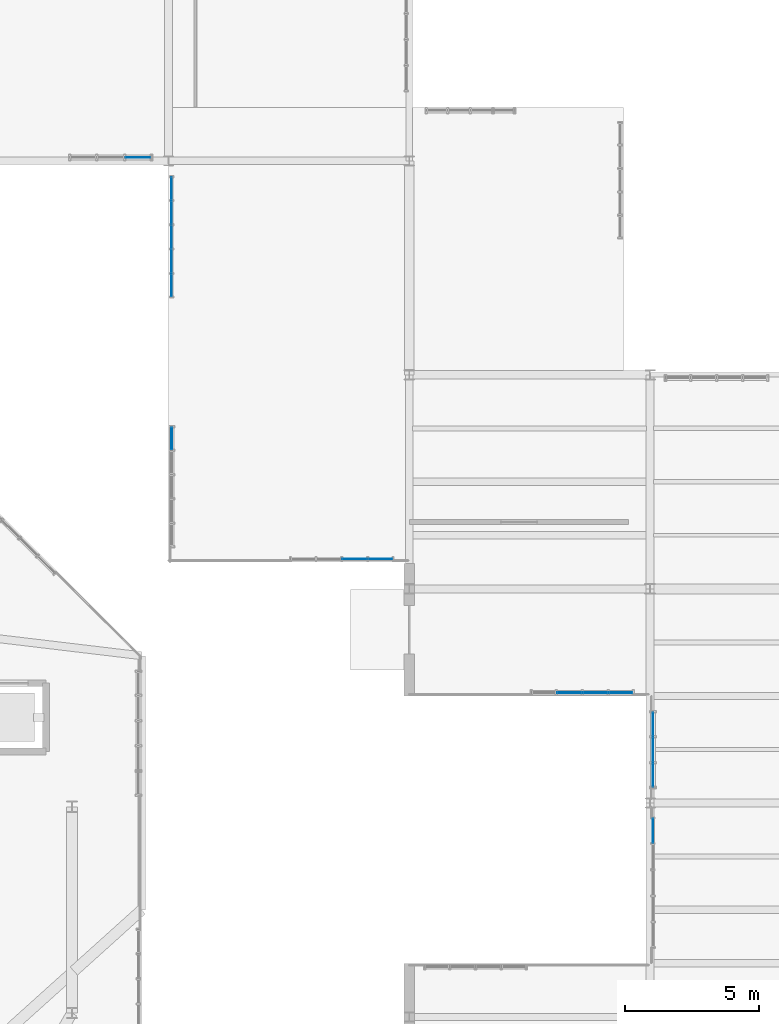
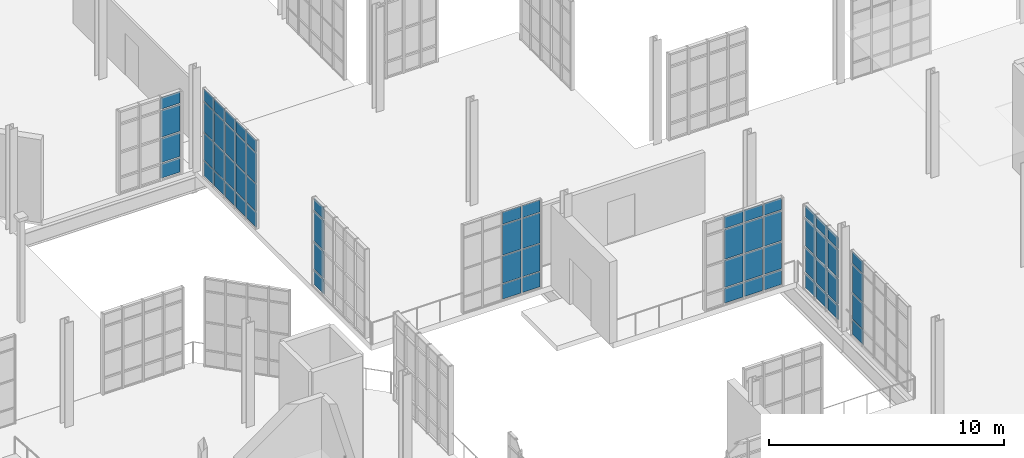
# One storey, part 155 of 189: 64 plates, 7 elements without a shape of their own.
"""IFC4 building model written with IfcOpenShell, lengths in metres."""

from ifc_helpers import new_model, si_unit, direction, frame, origin, origin_2d, place, context, subcontext, project, spatial, rectangle, extrude, material, layer, layer_set, type_object, element, aggregate, save


model = new_model("IFC4")

# Units and contexts
model_context = context("Model", 3, precision=1e-05, world=origin(), true_north=direction((0.0, 1.0)))
body_context = subcontext(model_context, "Body", "Model", "MODEL_VIEW")
ifc_project = project(units=[si_unit("LENGTHUNIT", "METRE"), si_unit("AREAUNIT", "SQUARE_METRE"), si_unit("VOLUMEUNIT", "CUBIC_METRE"), si_unit("PLANEANGLEUNIT", "RADIAN"), si_unit("MASSUNIT", "GRAM", prefix="KILO"), si_unit("THERMODYNAMICTEMPERATUREUNIT", "KELVIN"), si_unit("POWERUNIT", "WATT")], contexts=[model_context])

# Site, building, storey
site_placement = place(None, origin())
site = spatial("IfcSite", under=ifc_project, at=site_placement, CompositionType="ELEMENT")
building_placement = place(site_placement, origin())
building = spatial("IfcBuilding", under=site, at=building_placement, Name="Zelmaris Science Centre", CompositionType="ELEMENT")
storey_placement = place(building_placement, origin())
storey = spatial("IfcBuildingStorey", under=building, at=storey_placement, Name="L00", CompositionType="ELEMENT", Elevation=0.0)

# Curtain wall, plates
ifc_material_1 = material(Name="Anodised architectural aluminium 6063-T6", Category="aluminium")
ifc_layer_1 = layer(ifc_material_1, 0.18994140625, Name="Anodised architectural aluminium 6063-T6")
ifc_layer_set_1 = layer_set([ifc_layer_1], Name="Anodised architectural aluminium 6063-T6")
curtain_wall_type_1 = type_object("IfcCurtainWallType", Name="Curtain Wall CW-01", PredefinedType="USERDEFINED", material=ifc_layer_set_1)
curtain_wall_1_placement = place(storey_placement, origin())
curtain_wall_1 = element("IfcCurtainWall", 1, at=curtain_wall_1_placement, inside=storey, type_object=curtain_wall_type_1, Name="L00 Unitised curtain wall 69", ObjectType="GLAZED CURTAIN WALL", PredefinedType="USERDEFINED")
ifc_material_2 = material(Name="Laminated hurricane-rated low-E insulated glazing", Category="glass")
ifc_layer_2 = layer(ifc_material_2, 0.031982421875, Name="Laminated hurricane-rated low-E insulated glazing")
ifc_layer_set_2 = layer_set([ifc_layer_2], Name="Laminated hurricane-rated low-E insulated glazing")
plate_type_1 = type_object("IfcPlateType", Name="Curtain Glazing Panel CWP-1 32mm", PredefinedType="CURTAIN_PANEL", material=ifc_layer_set_2)
plate_1_placement = place(storey_placement, frame((117.107421875, 41.041015625, 0.05712890625), z_axis=(0.0, 0.0, 1.0), x_axis=(-0.000345053628, 0.999999940469, 0.0)))
plate_1 = element("IfcPlate", 2, at=plate_1_placement, type_object=plate_type_1, Name="CW-01 panel 1.1", PredefinedType="CURTAIN_PANEL", context=body_context, shape_type="SweptSolid", body=[
    extrude(rectangle(XDim=0.858154296875, YDim=0.031982421875, at=origin_2d()), origin(), (0.0, 0.0, 1.0), 0.741943359375),
])
plate_2_placement = place(storey_placement, frame((117.107421875, 41.041015625, 0.870849609375), z_axis=(0.0, 0.0, 1.0), x_axis=(-0.000345053628, 0.999999940469, 0.0)))
plate_2 = element("IfcPlate", 3, at=plate_2_placement, type_object=plate_type_1, Name="CW-01 panel 1.2", PredefinedType="CURTAIN_PANEL", context=body_context, shape_type="SweptSolid", body=[
    extrude(rectangle(XDim=0.858154296875, YDim=0.031982421875, at=origin_2d()), origin(), (0.0, 0.0, 1.0), 1.2890625),
])
plate_3_placement = place(storey_placement, frame((117.107421875, 41.041015625, 2.23193359375), z_axis=(0.0, 0.0, 1.0), x_axis=(-0.000345053628, 0.999999940469, 0.0)))
plate_3 = element("IfcPlate", 4, at=plate_3_placement, type_object=plate_type_1, Name="CW-01 panel 1.3", PredefinedType="CURTAIN_PANEL", context=body_context, shape_type="SweptSolid", body=[
    extrude(rectangle(XDim=0.858154296875, YDim=0.031982421875, at=origin_2d()), origin(), (0.0, 0.0, 1.0), 1.43896484375),
])
plate_4_placement = place(storey_placement, frame((117.107421875, 41.041015625, 3.7431640625), z_axis=(0.0, 0.0, 1.0), x_axis=(-0.000345053628, 0.999999940469, 0.0)))
plate_4 = element("IfcPlate", 5, at=plate_4_placement, type_object=plate_type_1, Name="CW-01 panel 1.4", PredefinedType="CURTAIN_PANEL", context=body_context, shape_type="SweptSolid", body=[
    extrude(rectangle(XDim=0.858154296875, YDim=0.031982421875, at=origin_2d()), origin(), (0.0, 0.0, 1.0), 0.592041015625),
])
plate_5_placement = place(storey_placement, frame((117.107177734375, 41.989013671875, 0.05712890625), z_axis=(0.0, 0.0, 1.0), x_axis=(-0.000345053628, 0.999999940469, 0.0)))
plate_5 = element("IfcPlate", 6, at=plate_5_placement, type_object=plate_type_1, Name="CW-01 panel 2.1", PredefinedType="CURTAIN_PANEL", context=body_context, shape_type="SweptSolid", body=[
    extrude(rectangle(XDim=0.89404296875, YDim=0.031982421875, at=origin_2d()), origin(), (0.0, 0.0, 1.0), 0.741943359375),
])
plate_6_placement = place(storey_placement, frame((117.107177734375, 41.989013671875, 0.870849609375), z_axis=(0.0, 0.0, 1.0), x_axis=(-0.000345053628, 0.999999940469, 0.0)))
plate_6 = element("IfcPlate", 7, at=plate_6_placement, type_object=plate_type_1, Name="CW-01 panel 2.2", PredefinedType="CURTAIN_PANEL", context=body_context, shape_type="SweptSolid", body=[
    extrude(rectangle(XDim=0.89404296875, YDim=0.031982421875, at=origin_2d()), origin(), (0.0, 0.0, 1.0), 1.2890625),
])
plate_7_placement = place(storey_placement, frame((117.107177734375, 41.989013671875, 2.23193359375), z_axis=(0.0, 0.0, 1.0), x_axis=(-0.000345053628, 0.999999940469, 0.0)))
plate_7 = element("IfcPlate", 8, at=plate_7_placement, type_object=plate_type_1, Name="CW-01 panel 2.3", PredefinedType="CURTAIN_PANEL", context=body_context, shape_type="SweptSolid", body=[
    extrude(rectangle(XDim=0.89404296875, YDim=0.031982421875, at=origin_2d()), origin(), (0.0, 0.0, 1.0), 1.43896484375),
])
plate_8_placement = place(storey_placement, frame((117.107177734375, 41.989013671875, 3.7431640625), z_axis=(0.0, 0.0, 1.0), x_axis=(-0.000345053628, 0.999999940469, 0.0)))
plate_8 = element("IfcPlate", 9, at=plate_8_placement, type_object=plate_type_1, Name="CW-01 panel 2.4", PredefinedType="CURTAIN_PANEL", context=body_context, shape_type="SweptSolid", body=[
    extrude(rectangle(XDim=0.89404296875, YDim=0.031982421875, at=origin_2d()), origin(), (0.0, 0.0, 1.0), 0.592041015625),
])
plate_9_placement = place(storey_placement, frame((117.106689453125, 42.93701171875, 0.05712890625), z_axis=(0.0, 0.0, 1.0), x_axis=(-0.000345053628, 0.999999940469, 0.0)))
plate_9 = element("IfcPlate", 10, at=plate_9_placement, type_object=plate_type_1, Name="CW-01 panel 3.1", PredefinedType="CURTAIN_PANEL", context=body_context, shape_type="SweptSolid", body=[
    extrude(rectangle(XDim=0.858154296875, YDim=0.031982421875, at=origin_2d()), origin(), (0.0, 0.0, 1.0), 0.741943359375),
])
plate_10_placement = place(storey_placement, frame((117.106689453125, 42.93701171875, 0.870849609375), z_axis=(0.0, 0.0, 1.0), x_axis=(-0.000345053628, 0.999999940469, 0.0)))
plate_10 = element("IfcPlate", 11, at=plate_10_placement, type_object=plate_type_1, Name="CW-01 panel 3.2", PredefinedType="CURTAIN_PANEL", context=body_context, shape_type="SweptSolid", body=[
    extrude(rectangle(XDim=0.858154296875, YDim=0.031982421875, at=origin_2d()), origin(), (0.0, 0.0, 1.0), 1.2890625),
])
plate_11_placement = place(storey_placement, frame((117.106689453125, 42.93701171875, 2.23193359375), z_axis=(0.0, 0.0, 1.0), x_axis=(-0.000345053628, 0.999999940469, 0.0)))
plate_11 = element("IfcPlate", 12, at=plate_11_placement, type_object=plate_type_1, Name="CW-01 panel 3.3", PredefinedType="CURTAIN_PANEL", context=body_context, shape_type="SweptSolid", body=[
    extrude(rectangle(XDim=0.858154296875, YDim=0.031982421875, at=origin_2d()), origin(), (0.0, 0.0, 1.0), 1.43896484375),
])
plate_12_placement = place(storey_placement, frame((117.106689453125, 42.93701171875, 3.7431640625), z_axis=(0.0, 0.0, 1.0), x_axis=(-0.000345053628, 0.999999940469, 0.0)))
plate_12 = element("IfcPlate", 13, at=plate_12_placement, type_object=plate_type_1, Name="CW-01 panel 3.4", PredefinedType="CURTAIN_PANEL", context=body_context, shape_type="SweptSolid", body=[
    extrude(rectangle(XDim=0.858154296875, YDim=0.031982421875, at=origin_2d()), origin(), (0.0, 0.0, 1.0), 0.592041015625),
])
aggregate(curtain_wall_1, [plate_1, plate_2, plate_3, plate_4, plate_5, plate_6, plate_7, plate_8, plate_9, plate_10, plate_11, plate_12])

curtain_wall_2_placement = place(storey_placement, origin())
curtain_wall_2 = element("IfcCurtainWall", 14, at=curtain_wall_2_placement, inside=storey, type_object=curtain_wall_type_1, Name="L00 Unitised curtain wall 77", ObjectType="GLAZED CURTAIN WALL", PredefinedType="USERDEFINED")
plate_13_placement = place(storey_placement, frame((97.862060546875, 64.1201171875, 0.05712890625), z_axis=(0.0, 0.0, 1.0), x_axis=(-1.0, 0.0, 0.0)))
plate_13 = element("IfcPlate", 15, at=plate_13_placement, type_object=plate_type_1, Name="CW-01 panel 1.1", PredefinedType="CURTAIN_PANEL", context=body_context, shape_type="SweptSolid", body=[
    extrude(rectangle(XDim=0.931884765625, YDim=0.031982421875, at=origin_2d()), origin(), (0.0, 0.0, 1.0), 0.741943359375),
])
plate_14_placement = place(storey_placement, frame((97.862060546875, 64.1201171875, 0.87109375), z_axis=(0.0, 0.0, 1.0), x_axis=(-1.0, 0.0, 0.0)))
plate_14 = element("IfcPlate", 16, at=plate_14_placement, type_object=plate_type_1, Name="CW-01 panel 1.2", PredefinedType="CURTAIN_PANEL", context=body_context, shape_type="SweptSolid", body=[
    extrude(rectangle(XDim=0.931884765625, YDim=0.031982421875, at=origin_2d()), origin(), (0.0, 0.0, 1.0), 1.239501953125),
])
plate_15_placement = place(storey_placement, frame((97.862060546875, 64.1201171875, 2.1826171875), z_axis=(0.0, 0.0, 1.0), x_axis=(-1.0, 0.0, 0.0)))
plate_15 = element("IfcPlate", 17, at=plate_15_placement, type_object=plate_type_1, Name="CW-01 panel 1.3", PredefinedType="CURTAIN_PANEL", context=body_context, shape_type="SweptSolid", body=[
    extrude(rectangle(XDim=0.931884765625, YDim=0.031982421875, at=origin_2d()), origin(), (0.0, 0.0, 1.0), 1.389404296875),
])
plate_16_placement = place(storey_placement, frame((97.862060546875, 64.1201171875, 3.64404296875), z_axis=(0.0, 0.0, 1.0), x_axis=(-1.0, 0.0, 0.0)))
plate_16 = element("IfcPlate", 18, at=plate_16_placement, type_object=plate_type_1, Name="CW-01 panel 1.4", PredefinedType="CURTAIN_PANEL", context=body_context, shape_type="SweptSolid", body=[
    extrude(rectangle(XDim=0.931884765625, YDim=0.031982421875, at=origin_2d()), origin(), (0.0, 0.0, 1.0), 0.592041015625),
])
aggregate(curtain_wall_2, [plate_13, plate_14, plate_15, plate_16])

ifc_layer_3 = layer(ifc_material_1, 0.199951171875, Name="Anodised architectural aluminium 6063-T6")
ifc_layer_set_3 = layer_set([ifc_layer_3], Name="Anodised architectural aluminium 6063-T6")
curtain_wall_type_2 = type_object("IfcCurtainWallType", Name="Curtain Wall CW-02", PredefinedType="USERDEFINED", material=ifc_layer_set_3)
curtain_wall_3_placement = place(storey_placement, origin())
curtain_wall_3 = element("IfcCurtainWall", 19, at=curtain_wall_3_placement, inside=storey, type_object=curtain_wall_type_2, Name="L00 Unitised curtain wall 70", ObjectType="GLAZED CURTAIN WALL", PredefinedType="USERDEFINED")
ifc_layer_4 = layer(ifc_material_2, 0.028076171875, Name="Laminated hurricane-rated low-E insulated glazing")
ifc_layer_set_4 = layer_set([ifc_layer_4], Name="Laminated hurricane-rated low-E insulated glazing")
plate_type_2 = type_object("IfcPlateType", Name="Curtain Glazing Panel CWP-2 28mm", PredefinedType="CURTAIN_PANEL", material=ifc_layer_set_4)
plate_17_placement = place(storey_placement, frame((115.8994140625, 44.1201171875, 0.052001953125), z_axis=(0.0, 0.0, 1.0), x_axis=(-1.0, 0.0, 0.0)))
plate_17 = element("IfcPlate", 20, at=plate_17_placement, type_object=plate_type_2, Name="CW-02 panel 1.1", PredefinedType="CURTAIN_PANEL", context=body_context, shape_type="SweptSolid", body=[
    extrude(rectangle(XDim=0.866943359375, YDim=0.028076171875, at=origin_2d()), origin(), (0.0, 0.0, 1.0), 0.74951171875),
])
plate_18_placement = place(storey_placement, frame((115.8994140625, 44.1201171875, 0.86865234375), z_axis=(0.0, 0.0, 1.0), x_axis=(-1.0, 0.0, 0.0)))
plate_18 = element("IfcPlate", 21, at=plate_18_placement, type_object=plate_type_2, Name="CW-02 panel 1.2", PredefinedType="CURTAIN_PANEL", context=body_context, shape_type="SweptSolid", body=[
    extrude(rectangle(XDim=0.866943359375, YDim=0.028076171875, at=origin_2d()), origin(), (0.0, 0.0, 1.0), 1.390380859375),
])
plate_19_placement = place(storey_placement, frame((115.8994140625, 44.1201171875, 2.325927734375), z_axis=(0.0, 0.0, 1.0), x_axis=(-1.0, 0.0, 0.0)))
plate_19 = element("IfcPlate", 22, at=plate_19_placement, type_object=plate_type_2, Name="CW-02 panel 1.3", PredefinedType="CURTAIN_PANEL", context=body_context, shape_type="SweptSolid", body=[
    extrude(rectangle(XDim=0.866943359375, YDim=0.028076171875, at=origin_2d()), origin(), (0.0, 0.0, 1.0), 1.54052734375),
])
plate_20_placement = place(storey_placement, frame((115.8994140625, 44.1201171875, 3.933349609375), z_axis=(0.0, 0.0, 1.0), x_axis=(-1.0, 0.0, 0.0)))
plate_20 = element("IfcPlate", 23, at=plate_20_placement, type_object=plate_type_2, Name="CW-02 panel 1.4", PredefinedType="CURTAIN_PANEL", context=body_context, shape_type="SweptSolid", body=[
    extrude(rectangle(XDim=0.866943359375, YDim=0.028076171875, at=origin_2d()), origin(), (0.0, 0.0, 1.0), 0.599609375),
])
plate_21_placement = place(storey_placement, frame((114.94873046875, 44.1201171875, 0.052001953125), z_axis=(0.0, 0.0, 1.0), x_axis=(-1.0, 0.0, 0.0)))
plate_21 = element("IfcPlate", 24, at=plate_21_placement, type_object=plate_type_2, Name="CW-02 panel 2.1", PredefinedType="CURTAIN_PANEL", context=body_context, shape_type="SweptSolid", body=[
    extrude(rectangle(XDim=0.900390625, YDim=0.028076171875, at=origin_2d()), origin(), (0.0, 0.0, 1.0), 0.74951171875),
])
plate_22_placement = place(storey_placement, frame((114.94873046875, 44.1201171875, 0.86865234375), z_axis=(0.0, 0.0, 1.0), x_axis=(-1.0, 0.0, 0.0)))
plate_22 = element("IfcPlate", 25, at=plate_22_placement, type_object=plate_type_2, Name="CW-02 panel 2.2", PredefinedType="CURTAIN_PANEL", context=body_context, shape_type="SweptSolid", body=[
    extrude(rectangle(XDim=0.900390625, YDim=0.028076171875, at=origin_2d()), origin(), (0.0, 0.0, 1.0), 1.390380859375),
])
plate_23_placement = place(storey_placement, frame((114.94873046875, 44.1201171875, 2.325927734375), z_axis=(0.0, 0.0, 1.0), x_axis=(-1.0, 0.0, 0.0)))
plate_23 = element("IfcPlate", 26, at=plate_23_placement, type_object=plate_type_2, Name="CW-02 panel 2.3", PredefinedType="CURTAIN_PANEL", context=body_context, shape_type="SweptSolid", body=[
    extrude(rectangle(XDim=0.900390625, YDim=0.028076171875, at=origin_2d()), origin(), (0.0, 0.0, 1.0), 1.54052734375),
])
plate_24_placement = place(storey_placement, frame((114.94873046875, 44.1201171875, 3.933349609375), z_axis=(0.0, 0.0, 1.0), x_axis=(-1.0, 0.0, 0.0)))
plate_24 = element("IfcPlate", 27, at=plate_24_placement, type_object=plate_type_2, Name="CW-02 panel 2.4", PredefinedType="CURTAIN_PANEL", context=body_context, shape_type="SweptSolid", body=[
    extrude(rectangle(XDim=0.900390625, YDim=0.028076171875, at=origin_2d()), origin(), (0.0, 0.0, 1.0), 0.599609375),
])
plate_25_placement = place(storey_placement, frame((113.981201171875, 44.1201171875, 0.052001953125), z_axis=(0.0, 0.0, 1.0), x_axis=(-1.0, 0.0, 0.0)))
plate_25 = element("IfcPlate", 28, at=plate_25_placement, type_object=plate_type_2, Name="CW-02 panel 3.1", PredefinedType="CURTAIN_PANEL", context=body_context, shape_type="SweptSolid", body=[
    extrude(rectangle(XDim=0.900390625, YDim=0.028076171875, at=origin_2d()), origin(), (0.0, 0.0, 1.0), 0.74951171875),
])
plate_26_placement = place(storey_placement, frame((113.981201171875, 44.1201171875, 0.86865234375), z_axis=(0.0, 0.0, 1.0), x_axis=(-1.0, 0.0, 0.0)))
plate_26 = element("IfcPlate", 29, at=plate_26_placement, type_object=plate_type_2, Name="CW-02 panel 3.2", PredefinedType="CURTAIN_PANEL", context=body_context, shape_type="SweptSolid", body=[
    extrude(rectangle(XDim=0.900390625, YDim=0.028076171875, at=origin_2d()), origin(), (0.0, 0.0, 1.0), 1.390380859375),
])
plate_27_placement = place(storey_placement, frame((113.981201171875, 44.1201171875, 2.325927734375), z_axis=(0.0, 0.0, 1.0), x_axis=(-1.0, 0.0, 0.0)))
plate_27 = element("IfcPlate", 30, at=plate_27_placement, type_object=plate_type_2, Name="CW-02 panel 3.3", PredefinedType="CURTAIN_PANEL", context=body_context, shape_type="SweptSolid", body=[
    extrude(rectangle(XDim=0.900390625, YDim=0.028076171875, at=origin_2d()), origin(), (0.0, 0.0, 1.0), 1.54052734375),
])
plate_28_placement = place(storey_placement, frame((113.981201171875, 44.1201171875, 3.933349609375), z_axis=(0.0, 0.0, 1.0), x_axis=(-1.0, 0.0, 0.0)))
plate_28 = element("IfcPlate", 31, at=plate_28_placement, type_object=plate_type_2, Name="CW-02 panel 3.4", PredefinedType="CURTAIN_PANEL", context=body_context, shape_type="SweptSolid", body=[
    extrude(rectangle(XDim=0.900390625, YDim=0.028076171875, at=origin_2d()), origin(), (0.0, 0.0, 1.0), 0.599609375),
])
aggregate(curtain_wall_3, [plate_17, plate_18, plate_19, plate_20, plate_21, plate_22, plate_23, plate_24, plate_25, plate_26, plate_27, plate_28])

curtain_wall_4_placement = place(storey_placement, origin())
curtain_wall_4 = element("IfcCurtainWall", 32, at=curtain_wall_4_placement, inside=storey, type_object=curtain_wall_type_2, Name="L00 Unitised curtain wall 74", ObjectType="GLAZED CURTAIN WALL", PredefinedType="USERDEFINED")
plate_29_placement = place(storey_placement, frame((99.117919921875, 53.617919921875, 0.052001953125), z_axis=(0.0, 0.0, 1.0), x_axis=(-0.00048358019, 0.999999883075, 0.0)))
plate_29 = element("IfcPlate", 33, at=plate_29_placement, type_object=plate_type_2, Name="CW-02 panel 5.1", PredefinedType="CURTAIN_PANEL", context=body_context, shape_type="SweptSolid", body=[
    extrude(rectangle(XDim=0.809326171875, YDim=0.028076171875, at=origin_2d()), origin(), (0.0, 0.0, 1.0), 0.74951171875),
])
plate_30_placement = place(storey_placement, frame((99.117919921875, 53.617919921875, 0.86865234375), z_axis=(0.0, 0.0, 1.0), x_axis=(-0.00048358019, 0.999999883075, 0.0)))
plate_30 = element("IfcPlate", 34, at=plate_30_placement, type_object=plate_type_2, Name="CW-02 panel 5.2", PredefinedType="CURTAIN_PANEL", context=body_context, shape_type="SweptSolid", body=[
    extrude(rectangle(XDim=0.809326171875, YDim=0.028076171875, at=origin_2d()), origin(), (0.0, 0.0, 1.0), 1.390380859375),
])
plate_31_placement = place(storey_placement, frame((99.117919921875, 53.617919921875, 2.325927734375), z_axis=(0.0, 0.0, 1.0), x_axis=(-0.00048358019, 0.999999883075, 0.0)))
plate_31 = element("IfcPlate", 35, at=plate_31_placement, type_object=plate_type_2, Name="CW-02 panel 5.3", PredefinedType="CURTAIN_PANEL", context=body_context, shape_type="SweptSolid", body=[
    extrude(rectangle(XDim=0.809326171875, YDim=0.028076171875, at=origin_2d()), origin(), (0.0, 0.0, 1.0), 1.54052734375),
])
plate_32_placement = place(storey_placement, frame((99.117919921875, 53.617919921875, 3.933349609375), z_axis=(0.0, 0.0, 1.0), x_axis=(-0.00048358019, 0.999999883075, 0.0)))
plate_32 = element("IfcPlate", 36, at=plate_32_placement, type_object=plate_type_2, Name="CW-02 panel 5.4", PredefinedType="CURTAIN_PANEL", context=body_context, shape_type="SweptSolid", body=[
    extrude(rectangle(XDim=0.809326171875, YDim=0.028076171875, at=origin_2d()), origin(), (0.0, 0.0, 1.0), 0.599609375),
])
aggregate(curtain_wall_4, [plate_29, plate_30, plate_31, plate_32])

ifc_layer_5 = layer(ifc_material_1, 0.219970703125, Name="Anodised architectural aluminium 6063-T6")
ifc_layer_set_5 = layer_set([ifc_layer_5], Name="Anodised architectural aluminium 6063-T6")
curtain_wall_type_3 = type_object("IfcCurtainWallType", Name="Curtain Wall CW-04", PredefinedType="USERDEFINED", material=ifc_layer_set_5)
curtain_wall_5_placement = place(storey_placement, origin())
curtain_wall_5 = element("IfcCurtainWall", 37, at=curtain_wall_5_placement, inside=storey, type_object=curtain_wall_type_3, Name="L00 Unitised curtain wall 68", ObjectType="GLAZED CURTAIN WALL", PredefinedType="USERDEFINED")
ifc_layer_6 = layer(ifc_material_2, 0.02392578125, Name="Laminated hurricane-rated low-E insulated glazing")
ifc_layer_set_6 = layer_set([ifc_layer_6], Name="Laminated hurricane-rated low-E insulated glazing")
plate_type_3 = type_object("IfcPlateType", Name="Curtain Glazing Panel CWP-4 24mm", PredefinedType="CURTAIN_PANEL", material=ifc_layer_set_6)
plate_33_placement = place(storey_placement, frame((117.108154296875, 38.957763671875, 0.037109375), z_axis=(0.0, 0.0, 1.0), x_axis=(-0.000347413785, 0.999999939652, 0.0)))
plate_33 = element("IfcPlate", 38, at=plate_33_placement, type_object=plate_type_3, Name="CW-04 panel 5.1", PredefinedType="CURTAIN_PANEL", context=body_context, shape_type="SweptSolid", body=[
    extrude(rectangle(XDim=0.900634765625, YDim=0.02392578125, at=origin_2d()), origin(), (0.0, 0.0, 1.0), 0.77197265625),
])
plate_34_placement = place(storey_placement, frame((117.108154296875, 38.957763671875, 0.86083984375), z_axis=(0.0, 0.0, 1.0), x_axis=(-0.000347413785, 0.999999939652, 0.0)))
plate_34 = element("IfcPlate", 39, at=plate_34_placement, type_object=plate_type_3, Name="CW-04 panel 5.2", PredefinedType="CURTAIN_PANEL", context=body_context, shape_type="SweptSolid", body=[
    extrude(rectangle(XDim=0.900634765625, YDim=0.02392578125, at=origin_2d()), origin(), (0.0, 0.0, 1.0), 1.30908203125),
])
plate_35_placement = place(storey_placement, frame((117.108154296875, 38.957763671875, 2.221923828125), z_axis=(0.0, 0.0, 1.0), x_axis=(-0.000347413785, 0.999999939652, 0.0)))
plate_35 = element("IfcPlate", 40, at=plate_35_placement, type_object=plate_type_3, Name="CW-04 panel 5.3", PredefinedType="CURTAIN_PANEL", context=body_context, shape_type="SweptSolid", body=[
    extrude(rectangle(XDim=0.900634765625, YDim=0.02392578125, at=origin_2d()), origin(), (0.0, 0.0, 1.0), 1.458984375),
])
plate_36_placement = place(storey_placement, frame((117.108154296875, 38.957763671875, 3.73291015625), z_axis=(0.0, 0.0, 1.0), x_axis=(-0.000347413785, 0.999999939652, 0.0)))
plate_36 = element("IfcPlate", 41, at=plate_36_placement, type_object=plate_type_3, Name="CW-04 panel 5.4", PredefinedType="CURTAIN_PANEL", context=body_context, shape_type="SweptSolid", body=[
    extrude(rectangle(XDim=0.900634765625, YDim=0.02392578125, at=origin_2d()), origin(), (0.0, 0.0, 1.0), 0.6220703125),
])
aggregate(curtain_wall_5, [plate_33, plate_34, plate_35, plate_36])

curtain_wall_6_placement = place(storey_placement, origin())
curtain_wall_6 = element("IfcCurtainWall", 42, at=curtain_wall_6_placement, inside=storey, type_object=curtain_wall_type_3, Name="L00 Unitised curtain wall 72", ObjectType="GLAZED CURTAIN WALL", PredefinedType="USERDEFINED")
plate_37_placement = place(storey_placement, frame((106.919677734375, 49.11767578125, 0.037109375), z_axis=(0.0, 0.0, 1.0), x_axis=(-0.999999959785, 0.00028360017, 0.0)))
plate_37 = element("IfcPlate", 43, at=plate_37_placement, type_object=plate_type_3, Name="CW-04 panel 1.1", PredefinedType="CURTAIN_PANEL", context=body_context, shape_type="SweptSolid", body=[
    extrude(rectangle(XDim=0.8916015625, YDim=0.02392578125, at=origin_2d()), origin(), (0.0, 0.0, 1.0), 0.77197265625),
])
plate_38_placement = place(storey_placement, frame((106.919677734375, 49.11767578125, 0.86083984375), z_axis=(0.0, 0.0, 1.0), x_axis=(-0.999999959785, 0.00028360017, 0.0)))
plate_38 = element("IfcPlate", 44, at=plate_38_placement, type_object=plate_type_3, Name="CW-04 panel 1.2", PredefinedType="CURTAIN_PANEL", context=body_context, shape_type="SweptSolid", body=[
    extrude(rectangle(XDim=0.8916015625, YDim=0.02392578125, at=origin_2d()), origin(), (0.0, 0.0, 1.0), 1.405517578125),
])
plate_39_placement = place(storey_placement, frame((106.919677734375, 49.11767578125, 2.318359375), z_axis=(0.0, 0.0, 1.0), x_axis=(-0.999999959785, 0.00028360017, 0.0)))
plate_39 = element("IfcPlate", 45, at=plate_39_placement, type_object=plate_type_3, Name="CW-04 panel 1.3", PredefinedType="CURTAIN_PANEL", context=body_context, shape_type="SweptSolid", body=[
    extrude(rectangle(XDim=0.8916015625, YDim=0.02392578125, at=origin_2d()), origin(), (0.0, 0.0, 1.0), 1.555419921875),
])
plate_40_placement = place(storey_placement, frame((106.919677734375, 49.11767578125, 3.926025390625), z_axis=(0.0, 0.0, 1.0), x_axis=(-0.999999959785, 0.00028360017, 0.0)))
plate_40 = element("IfcPlate", 46, at=plate_40_placement, type_object=plate_type_3, Name="CW-04 panel 1.4", PredefinedType="CURTAIN_PANEL", context=body_context, shape_type="SweptSolid", body=[
    extrude(rectangle(XDim=0.8916015625, YDim=0.02392578125, at=origin_2d()), origin(), (0.0, 0.0, 1.0), 0.6220703125),
])
plate_41_placement = place(storey_placement, frame((105.962890625, 49.117919921875, 0.037109375), z_axis=(0.0, 0.0, 1.0), x_axis=(-0.999999959785, 0.00028360017, 0.0)))
plate_41 = element("IfcPlate", 47, at=plate_41_placement, type_object=plate_type_3, Name="CW-04 panel 2.1", PredefinedType="CURTAIN_PANEL", context=body_context, shape_type="SweptSolid", body=[
    extrude(rectangle(XDim=0.917724609375, YDim=0.02392578125, at=origin_2d()), origin(), (0.0, 0.0, 1.0), 0.77197265625),
])
plate_42_placement = place(storey_placement, frame((105.962890625, 49.117919921875, 0.86083984375), z_axis=(0.0, 0.0, 1.0), x_axis=(-0.999999959785, 0.00028360017, 0.0)))
plate_42 = element("IfcPlate", 48, at=plate_42_placement, type_object=plate_type_3, Name="CW-04 panel 2.2", PredefinedType="CURTAIN_PANEL", context=body_context, shape_type="SweptSolid", body=[
    extrude(rectangle(XDim=0.917724609375, YDim=0.02392578125, at=origin_2d()), origin(), (0.0, 0.0, 1.0), 1.405517578125),
])
plate_43_placement = place(storey_placement, frame((105.962890625, 49.117919921875, 2.318359375), z_axis=(0.0, 0.0, 1.0), x_axis=(-0.999999959785, 0.00028360017, 0.0)))
plate_43 = element("IfcPlate", 49, at=plate_43_placement, type_object=plate_type_3, Name="CW-04 panel 2.3", PredefinedType="CURTAIN_PANEL", context=body_context, shape_type="SweptSolid", body=[
    extrude(rectangle(XDim=0.917724609375, YDim=0.02392578125, at=origin_2d()), origin(), (0.0, 0.0, 1.0), 1.555419921875),
])
plate_44_placement = place(storey_placement, frame((105.962890625, 49.117919921875, 3.926025390625), z_axis=(0.0, 0.0, 1.0), x_axis=(-0.999999959785, 0.00028360017, 0.0)))
plate_44 = element("IfcPlate", 50, at=plate_44_placement, type_object=plate_type_3, Name="CW-04 panel 2.4", PredefinedType="CURTAIN_PANEL", context=body_context, shape_type="SweptSolid", body=[
    extrude(rectangle(XDim=0.917724609375, YDim=0.02392578125, at=origin_2d()), origin(), (0.0, 0.0, 1.0), 0.6220703125),
])
aggregate(curtain_wall_6, [plate_37, plate_38, plate_39, plate_40, plate_41, plate_42, plate_43, plate_44])

curtain_wall_7_placement = place(storey_placement, origin())
curtain_wall_7 = element("IfcCurtainWall", 51, at=curtain_wall_7_placement, inside=storey, type_object=curtain_wall_type_3, Name="L00 Unitised curtain wall 76", ObjectType="GLAZED CURTAIN WALL", PredefinedType="USERDEFINED")
plate_45_placement = place(storey_placement, frame((99.114990234375, 59.346923828125, 0.037109375), z_axis=(0.0, 0.0, 1.0), x_axis=(-0.000461599289, 0.999999893463, 0.0)))
plate_45 = element("IfcPlate", 52, at=plate_45_placement, type_object=plate_type_3, Name="CW-04 panel 1.1", PredefinedType="CURTAIN_PANEL", context=body_context, shape_type="SweptSolid", body=[
    extrude(rectangle(XDim=0.831787109375, YDim=0.02392578125, at=origin_2d()), origin(), (0.0, 0.0, 1.0), 0.77197265625),
])
plate_46_placement = place(storey_placement, frame((99.114990234375, 59.346923828125, 0.86083984375), z_axis=(0.0, 0.0, 1.0), x_axis=(-0.000461599289, 0.999999893463, 0.0)))
plate_46 = element("IfcPlate", 53, at=plate_46_placement, type_object=plate_type_3, Name="CW-04 panel 1.2", PredefinedType="CURTAIN_PANEL", context=body_context, shape_type="SweptSolid", body=[
    extrude(rectangle(XDim=0.831787109375, YDim=0.02392578125, at=origin_2d()), origin(), (0.0, 0.0, 1.0), 1.405517578125),
])
plate_47_placement = place(storey_placement, frame((99.114990234375, 59.346923828125, 2.318359375), z_axis=(0.0, 0.0, 1.0), x_axis=(-0.000461599289, 0.999999893463, 0.0)))
plate_47 = element("IfcPlate", 54, at=plate_47_placement, type_object=plate_type_3, Name="CW-04 panel 1.3", PredefinedType="CURTAIN_PANEL", context=body_context, shape_type="SweptSolid", body=[
    extrude(rectangle(XDim=0.831787109375, YDim=0.02392578125, at=origin_2d()), origin(), (0.0, 0.0, 1.0), 1.555419921875),
])
plate_48_placement = place(storey_placement, frame((99.114990234375, 59.346923828125, 3.926025390625), z_axis=(0.0, 0.0, 1.0), x_axis=(-0.000461599289, 0.999999893463, 0.0)))
plate_48 = element("IfcPlate", 55, at=plate_48_placement, type_object=plate_type_3, Name="CW-04 panel 1.4", PredefinedType="CURTAIN_PANEL", context=body_context, shape_type="SweptSolid", body=[
    extrude(rectangle(XDim=0.831787109375, YDim=0.02392578125, at=origin_2d()), origin(), (0.0, 0.0, 1.0), 0.6220703125),
])
plate_49_placement = place(storey_placement, frame((99.11474609375, 60.243896484375, 0.037109375), z_axis=(0.0, 0.0, 1.0), x_axis=(-0.000461599289, 0.999999893463, 0.0)))
plate_49 = element("IfcPlate", 56, at=plate_49_placement, type_object=plate_type_3, Name="CW-04 panel 2.1", PredefinedType="CURTAIN_PANEL", context=body_context, shape_type="SweptSolid", body=[
    extrude(rectangle(XDim=0.85791015625, YDim=0.02392578125, at=origin_2d()), origin(), (0.0, 0.0, 1.0), 0.77197265625),
])
plate_50_placement = place(storey_placement, frame((99.11474609375, 60.243896484375, 0.86083984375), z_axis=(0.0, 0.0, 1.0), x_axis=(-0.000461599289, 0.999999893463, 0.0)))
plate_50 = element("IfcPlate", 57, at=plate_50_placement, type_object=plate_type_3, Name="CW-04 panel 2.2", PredefinedType="CURTAIN_PANEL", context=body_context, shape_type="SweptSolid", body=[
    extrude(rectangle(XDim=0.85791015625, YDim=0.02392578125, at=origin_2d()), origin(), (0.0, 0.0, 1.0), 1.405517578125),
])
plate_51_placement = place(storey_placement, frame((99.11474609375, 60.243896484375, 2.318359375), z_axis=(0.0, 0.0, 1.0), x_axis=(-0.000461599289, 0.999999893463, 0.0)))
plate_51 = element("IfcPlate", 58, at=plate_51_placement, type_object=plate_type_3, Name="CW-04 panel 2.3", PredefinedType="CURTAIN_PANEL", context=body_context, shape_type="SweptSolid", body=[
    extrude(rectangle(XDim=0.85791015625, YDim=0.02392578125, at=origin_2d()), origin(), (0.0, 0.0, 1.0), 1.555419921875),
])
plate_52_placement = place(storey_placement, frame((99.11474609375, 60.243896484375, 3.926025390625), z_axis=(0.0, 0.0, 1.0), x_axis=(-0.000461599289, 0.999999893463, 0.0)))
plate_52 = element("IfcPlate", 59, at=plate_52_placement, type_object=plate_type_3, Name="CW-04 panel 2.4", PredefinedType="CURTAIN_PANEL", context=body_context, shape_type="SweptSolid", body=[
    extrude(rectangle(XDim=0.85791015625, YDim=0.02392578125, at=origin_2d()), origin(), (0.0, 0.0, 1.0), 0.6220703125),
])
plate_53_placement = place(storey_placement, frame((99.1142578125, 61.15380859375, 0.037109375), z_axis=(0.0, 0.0, 1.0), x_axis=(-0.000461599289, 0.999999893463, 0.0)))
plate_53 = element("IfcPlate", 60, at=plate_53_placement, type_object=plate_type_3, Name="CW-04 panel 3.1", PredefinedType="CURTAIN_PANEL", context=body_context, shape_type="SweptSolid", body=[
    extrude(rectangle(XDim=0.85791015625, YDim=0.02392578125, at=origin_2d()), origin(), (0.0, 0.0, 1.0), 0.77197265625),
])
plate_54_placement = place(storey_placement, frame((99.1142578125, 61.15380859375, 0.86083984375), z_axis=(0.0, 0.0, 1.0), x_axis=(-0.000461599289, 0.999999893463, 0.0)))
plate_54 = element("IfcPlate", 61, at=plate_54_placement, type_object=plate_type_3, Name="CW-04 panel 3.2", PredefinedType="CURTAIN_PANEL", context=body_context, shape_type="SweptSolid", body=[
    extrude(rectangle(XDim=0.85791015625, YDim=0.02392578125, at=origin_2d()), origin(), (0.0, 0.0, 1.0), 1.405517578125),
])
plate_55_placement = place(storey_placement, frame((99.1142578125, 61.15380859375, 2.318359375), z_axis=(0.0, 0.0, 1.0), x_axis=(-0.000461599289, 0.999999893463, 0.0)))
plate_55 = element("IfcPlate", 62, at=plate_55_placement, type_object=plate_type_3, Name="CW-04 panel 3.3", PredefinedType="CURTAIN_PANEL", context=body_context, shape_type="SweptSolid", body=[
    extrude(rectangle(XDim=0.85791015625, YDim=0.02392578125, at=origin_2d()), origin(), (0.0, 0.0, 1.0), 1.555419921875),
])
plate_56_placement = place(storey_placement, frame((99.1142578125, 61.15380859375, 3.926025390625), z_axis=(0.0, 0.0, 1.0), x_axis=(-0.000461599289, 0.999999893463, 0.0)))
plate_56 = element("IfcPlate", 63, at=plate_56_placement, type_object=plate_type_3, Name="CW-04 panel 3.4", PredefinedType="CURTAIN_PANEL", context=body_context, shape_type="SweptSolid", body=[
    extrude(rectangle(XDim=0.85791015625, YDim=0.02392578125, at=origin_2d()), origin(), (0.0, 0.0, 1.0), 0.6220703125),
])
plate_57_placement = place(storey_placement, frame((99.11376953125, 62.0634765625, 0.037109375), z_axis=(0.0, 0.0, 1.0), x_axis=(-0.000461599289, 0.999999893463, 0.0)))
plate_57 = element("IfcPlate", 64, at=plate_57_placement, type_object=plate_type_3, Name="CW-04 panel 4.1", PredefinedType="CURTAIN_PANEL", context=body_context, shape_type="SweptSolid", body=[
    extrude(rectangle(XDim=0.85791015625, YDim=0.02392578125, at=origin_2d()), origin(), (0.0, 0.0, 1.0), 0.77197265625),
])
plate_58_placement = place(storey_placement, frame((99.11376953125, 62.0634765625, 0.86083984375), z_axis=(0.0, 0.0, 1.0), x_axis=(-0.000461599289, 0.999999893463, 0.0)))
plate_58 = element("IfcPlate", 65, at=plate_58_placement, type_object=plate_type_3, Name="CW-04 panel 4.2", PredefinedType="CURTAIN_PANEL", context=body_context, shape_type="SweptSolid", body=[
    extrude(rectangle(XDim=0.85791015625, YDim=0.02392578125, at=origin_2d()), origin(), (0.0, 0.0, 1.0), 1.405517578125),
])
plate_59_placement = place(storey_placement, frame((99.11376953125, 62.0634765625, 2.318359375), z_axis=(0.0, 0.0, 1.0), x_axis=(-0.000461599289, 0.999999893463, 0.0)))
plate_59 = element("IfcPlate", 66, at=plate_59_placement, type_object=plate_type_3, Name="CW-04 panel 4.3", PredefinedType="CURTAIN_PANEL", context=body_context, shape_type="SweptSolid", body=[
    extrude(rectangle(XDim=0.85791015625, YDim=0.02392578125, at=origin_2d()), origin(), (0.0, 0.0, 1.0), 1.555419921875),
])
plate_60_placement = place(storey_placement, frame((99.11376953125, 62.0634765625, 3.926025390625), z_axis=(0.0, 0.0, 1.0), x_axis=(-0.000461599289, 0.999999893463, 0.0)))
plate_60 = element("IfcPlate", 67, at=plate_60_placement, type_object=plate_type_3, Name="CW-04 panel 4.4", PredefinedType="CURTAIN_PANEL", context=body_context, shape_type="SweptSolid", body=[
    extrude(rectangle(XDim=0.85791015625, YDim=0.02392578125, at=origin_2d()), origin(), (0.0, 0.0, 1.0), 0.6220703125),
])
plate_61_placement = place(storey_placement, frame((99.113525390625, 62.96044921875, 0.037109375), z_axis=(0.0, 0.0, 1.0), x_axis=(-0.000461599289, 0.999999893463, 0.0)))
plate_61 = element("IfcPlate", 68, at=plate_61_placement, type_object=plate_type_3, Name="CW-04 panel 5.1", PredefinedType="CURTAIN_PANEL", context=body_context, shape_type="SweptSolid", body=[
    extrude(rectangle(XDim=0.831787109375, YDim=0.02392578125, at=origin_2d()), origin(), (0.0, 0.0, 1.0), 0.77197265625),
])
plate_62_placement = place(storey_placement, frame((99.113525390625, 62.96044921875, 0.86083984375), z_axis=(0.0, 0.0, 1.0), x_axis=(-0.000461599289, 0.999999893463, 0.0)))
plate_62 = element("IfcPlate", 69, at=plate_62_placement, type_object=plate_type_3, Name="CW-04 panel 5.2", PredefinedType="CURTAIN_PANEL", context=body_context, shape_type="SweptSolid", body=[
    extrude(rectangle(XDim=0.831787109375, YDim=0.02392578125, at=origin_2d()), origin(), (0.0, 0.0, 1.0), 1.405517578125),
])
plate_63_placement = place(storey_placement, frame((99.113525390625, 62.96044921875, 2.318359375), z_axis=(0.0, 0.0, 1.0), x_axis=(-0.000461599289, 0.999999893463, 0.0)))
plate_63 = element("IfcPlate", 70, at=plate_63_placement, type_object=plate_type_3, Name="CW-04 panel 5.3", PredefinedType="CURTAIN_PANEL", context=body_context, shape_type="SweptSolid", body=[
    extrude(rectangle(XDim=0.831787109375, YDim=0.02392578125, at=origin_2d()), origin(), (0.0, 0.0, 1.0), 1.555419921875),
])
plate_64_placement = place(storey_placement, frame((99.113525390625, 62.96044921875, 3.926025390625), z_axis=(0.0, 0.0, 1.0), x_axis=(-0.000461599289, 0.999999893463, 0.0)))
plate_64 = element("IfcPlate", 71, at=plate_64_placement, type_object=plate_type_3, Name="CW-04 panel 5.4", PredefinedType="CURTAIN_PANEL", context=body_context, shape_type="SweptSolid", body=[
    extrude(rectangle(XDim=0.831787109375, YDim=0.02392578125, at=origin_2d()), origin(), (0.0, 0.0, 1.0), 0.6220703125),
])
aggregate(curtain_wall_7, [plate_45, plate_46, plate_47, plate_48, plate_49, plate_50, plate_51, plate_52, plate_53, plate_54, plate_55, plate_56, plate_57, plate_58, plate_59, plate_60, plate_61, plate_62, plate_63, plate_64])

save(model, "model.ifc")
